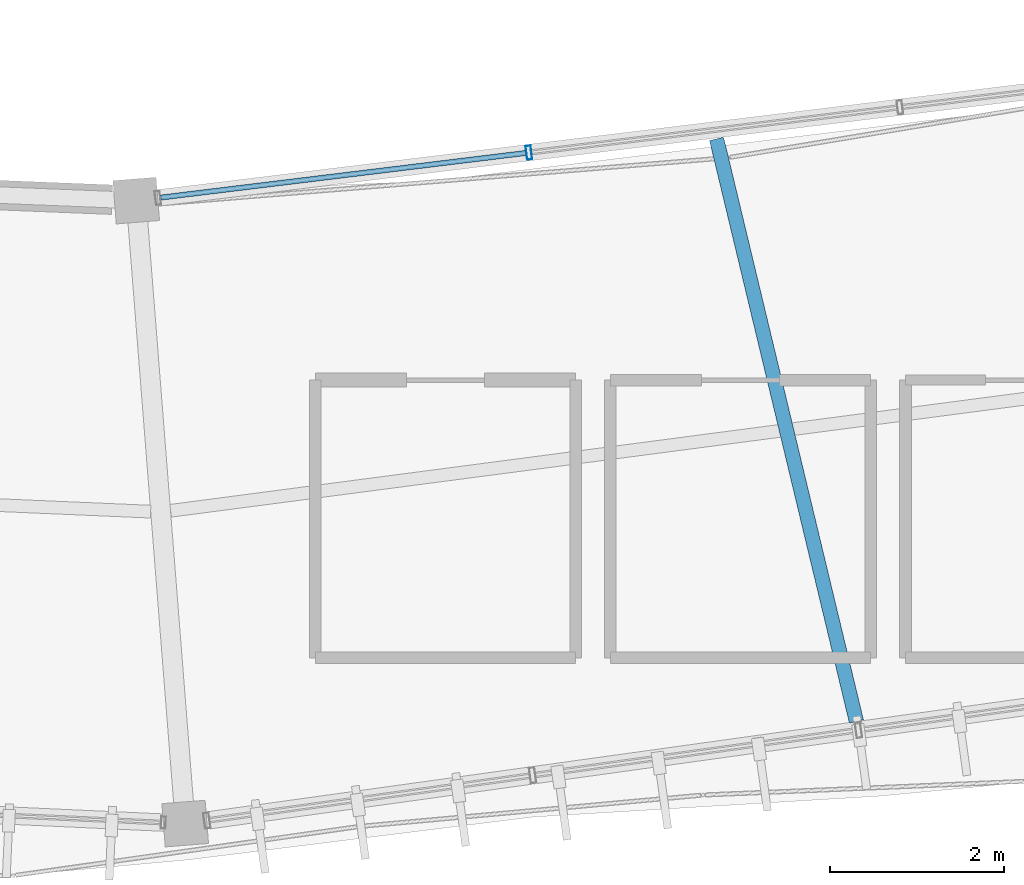
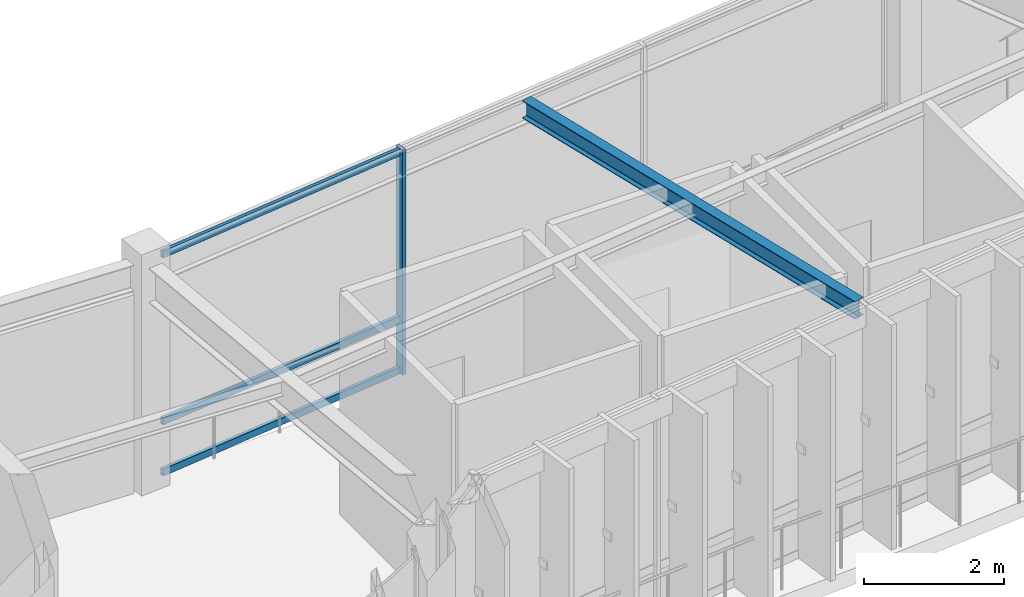
# One storey, part 20 of 78: 4 members, 1 beam, 1 element without a shape of its own.
"""IFC4 building model written with IfcOpenShell, lengths in metres."""

from ifc_helpers import new_model, si_unit, direction, frame, origin, origin_2d, place, context, subcontext, project, spatial, hollow_rectangle, i_section, extrude, material, material_profile, profile_set, type_object, element, aggregate, save


model = new_model("IFC4")

# Units and contexts
model_context = context("Model", 3, precision=1e-05, world=origin(), true_north=direction((0.0, 1.0)))
body_context = subcontext(model_context, "Body", "Model", "MODEL_VIEW")
ifc_project = project(units=[si_unit("LENGTHUNIT", "METRE"), si_unit("AREAUNIT", "SQUARE_METRE"), si_unit("VOLUMEUNIT", "CUBIC_METRE"), si_unit("PLANEANGLEUNIT", "RADIAN"), si_unit("MASSUNIT", "GRAM", prefix="KILO"), si_unit("THERMODYNAMICTEMPERATUREUNIT", "KELVIN"), si_unit("POWERUNIT", "WATT")], contexts=[model_context])

# Site, building, storey
site_placement = place(None, origin())
site = spatial("IfcSite", under=ifc_project, at=site_placement, CompositionType="ELEMENT")
building_placement = place(site_placement, origin())
building = spatial("IfcBuilding", under=site, at=building_placement, Name="Darbajah Civic Hall", CompositionType="ELEMENT")
storey_placement = place(building_placement, frame((0.0, 0.0, 26.39990234375)))
storey = spatial("IfcBuildingStorey", under=building, at=storey_placement, Name="L06", CompositionType="ELEMENT", Elevation=26.39990234375)

# Curtain wall, members
ifc_material_1 = material(Name="Anodised Bronze Aluminium and Low-E Glazing", Category="aluminium")
curtain_wall_type = type_object("IfcCurtainWallType", Name="Unitised Curtain Wall CW-73 12900x3900", PredefinedType="USERDEFINED", material=ifc_material_1)
curtain_wall_placement = place(storey_placement, origin())
curtain_wall = element("IfcCurtainWall", 1, at=curtain_wall_placement, inside=storey, type_object=curtain_wall_type, Name="L06 unitised curtain wall CW-V1I-L06-15", ObjectType="UNITISED CURTAIN WALL", PredefinedType="USERDEFINED")
ifc_material_2 = material(Name="Anodised Bronze Aluminium", Category="aluminium")
ifc_material_profile_1 = material_profile(ifc_material_2, hollow_rectangle(XDim=0.06005859375, YDim=0.159912109375, WallThickness=0.00341796875, at=origin_2d()), Name="ALU MULLION 60x160")
ifc_profile_set_1 = profile_set([ifc_material_profile_1], Name="Anodised Bronze Aluminium")
member_type_1 = type_object("IfcMemberType", Name="ALU MULLION 60x160", PredefinedType="MULLION", material=ifc_profile_set_1)
member_1_placement = place(storey_placement, frame((97.0615234375, 68.121826171875, 0.0), z_axis=(0.0, 0.0, 1.0), x_axis=(0.992609826221, 0.121349630774, 0.0)))
member_1 = element("IfcMember", 2, at=member_1_placement, type_object=member_type_1, Name="CW-V1I-L06-15 mullion 2", PredefinedType="MULLION", context=body_context, shape_type="SweptSolid", body=[
    extrude(hollow_rectangle(XDim=0.06005859375, YDim=0.159912109375, WallThickness=0.00341796875, at=origin_2d()), origin(), (0.0, 0.0, 1.0), 3.920166015625),
])
ifc_material_profile_2 = material_profile(ifc_material_2, hollow_rectangle(XDim=0.06005859375, YDim=0.1201171875, WallThickness=0.003173828125, at=origin_2d()), Name="ALU TRANSOM 60x120")
ifc_profile_set_2 = profile_set([ifc_material_profile_2], Name="Anodised Bronze Aluminium")
member_type_2 = type_object("IfcMemberType", Name="ALU TRANSOM 60x120", PredefinedType="USERDEFINED", material=ifc_profile_set_2)
member_2_placement = place(storey_placement, frame((92.8212890625, 67.603515625, 0.06005859375), z_axis=(0.99260935384, 0.12135349467, 0.0), x_axis=(-0.12135349467, 0.99260935384, 0.0)))
member_2 = element("IfcMember", 3, at=member_2_placement, type_object=member_type_2, Name="CW-V1I-L06-15 transom 1.1", ObjectType="TRANSOM", PredefinedType="USERDEFINED", context=body_context, shape_type="SweptSolid", body=[
    extrude(hollow_rectangle(XDim=0.06005859375, YDim=0.1201171875, WallThickness=0.003173828125, at=origin_2d()), origin(), (0.0, 0.0, 1.0), 4.23681640625),
])
member_3_placement = place(storey_placement, frame((92.8212890625, 67.603515625, 0.9501953125), z_axis=(0.99260935384, 0.12135349467, 0.0), x_axis=(-0.12135349467, 0.99260935384, 0.0)))
member_3 = element("IfcMember", 4, at=member_3_placement, type_object=member_type_2, Name="CW-V1I-L06-15 transom 1.2", ObjectType="TRANSOM", PredefinedType="USERDEFINED", context=body_context, shape_type="SweptSolid", body=[
    extrude(hollow_rectangle(XDim=0.06005859375, YDim=0.1201171875, WallThickness=0.003173828125, at=origin_2d()), origin(), (0.0, 0.0, 1.0), 4.23681640625),
])
member_4_placement = place(storey_placement, frame((92.8212890625, 67.603515625, 3.860107421875), z_axis=(0.99260935384, 0.12135349467, 0.0), x_axis=(-0.12135349467, 0.99260935384, 0.0)))
member_4 = element("IfcMember", 5, at=member_4_placement, type_object=member_type_2, Name="CW-V1I-L06-15 transom 1.3", ObjectType="TRANSOM", PredefinedType="USERDEFINED", context=body_context, shape_type="SweptSolid", body=[
    extrude(hollow_rectangle(XDim=0.06005859375, YDim=0.1201171875, WallThickness=0.003173828125, at=origin_2d()), origin(), (0.0, 0.0, 1.0), 4.23681640625),
])
aggregate(curtain_wall, [member_1, member_2, member_3, member_4])

# Beam
ifc_material_3 = material(Name="Steel S355JR", Category="steel")
ifc_material_profile_3 = material_profile(ifc_material_3, i_section(OverallWidth=0.165771484375, OverallDepth=0.306640625, WebThickness=0.006591796875, FlangeThickness=0.01171875, FilletRadius=0.0087890625, at=origin_2d()), Name="UB 305x165x46")
ifc_profile_set_3 = profile_set([ifc_material_profile_3], Name="Steel S355JR")
beam_type = type_object("IfcBeamType", Name="UB 305x165x46", PredefinedType="JOIST", material=ifc_profile_set_3)
beam_placement = place(storey_placement, frame((99.2236328125, 68.280029296875, 3.766845703125), z_axis=(0.233446518106, -0.972369643286, 0.0), x_axis=(0.972369643286, 0.233446518106, 0.0)))
element("IfcBeam", 6, at=beam_placement, inside=storey, type_object=beam_type, Name="L06 beam SJ-305", PredefinedType="JOIST", context=body_context, shape_type="SweptSolid", body=[
    extrude(i_section(OverallWidth=0.165771484375, OverallDepth=0.306640625, WebThickness=0.006591796875, FlangeThickness=0.01171875, FilletRadius=0.0087890625, at=origin_2d()), origin(), (0.0, 0.0, 1.0), 6.9033203125),
])

save(model, "model.ifc")
